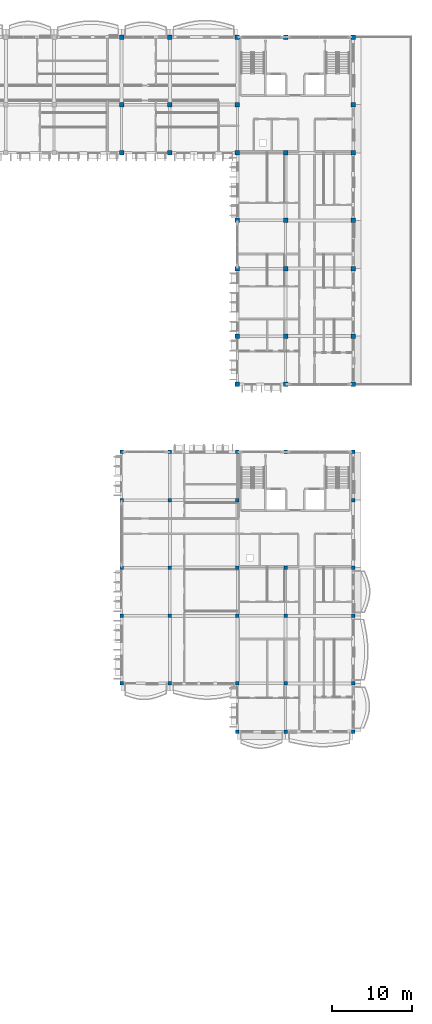
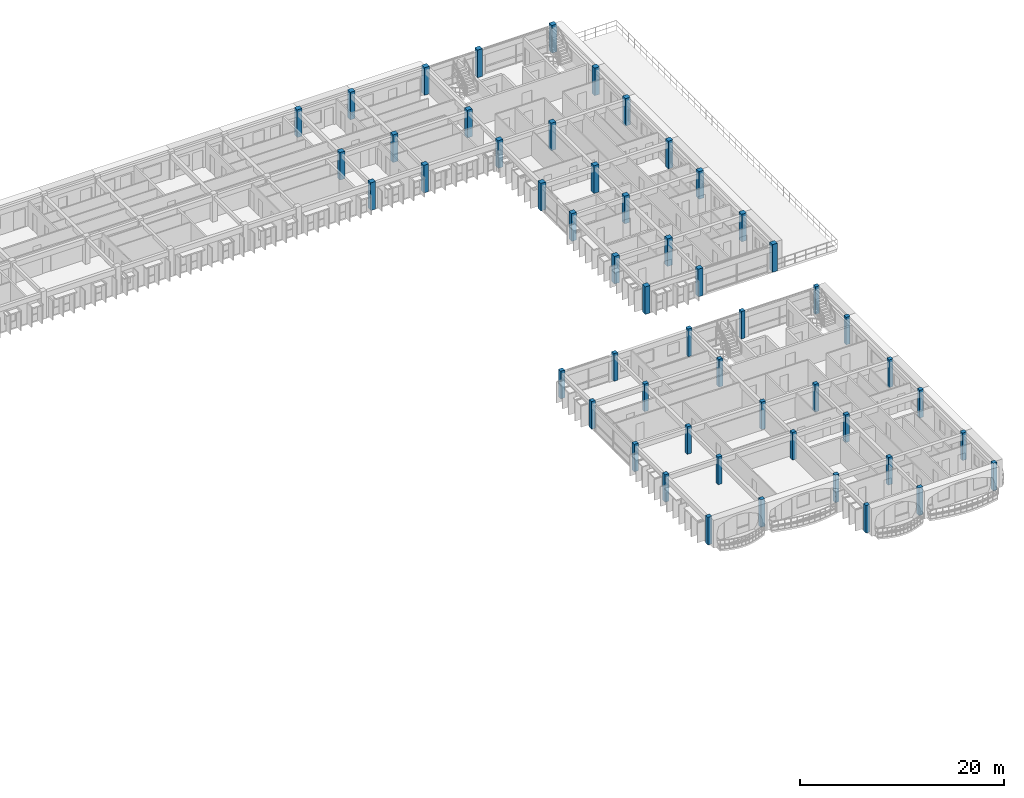
# One storey, part 2 of 68: 53 columns.
"""IFC4 building model written with IfcOpenShell, lengths in metres."""

from ifc_helpers import new_model, si_unit, direction, frame, origin, origin_2d, place, context, subcontext, project, spatial, rectangle, extrude, material, material_profile, profile_set, type_object, element, save


model = new_model("IFC4")

# Units and contexts
model_context = context("Model", 3, precision=1e-05, world=origin(), true_north=direction((0.0, 1.0)))
body_context = subcontext(model_context, "Body", "Model", "MODEL_VIEW")
ifc_project = project(units=[si_unit("LENGTHUNIT", "METRE"), si_unit("AREAUNIT", "SQUARE_METRE"), si_unit("VOLUMEUNIT", "CUBIC_METRE"), si_unit("PLANEANGLEUNIT", "RADIAN"), si_unit("MASSUNIT", "GRAM", prefix="KILO"), si_unit("THERMODYNAMICTEMPERATUREUNIT", "KELVIN")], contexts=[model_context])

# Site, building, storey
site_placement = place(None, origin())
site = spatial("IfcSite", under=ifc_project, at=site_placement, CompositionType="ELEMENT")
building_placement = place(site_placement, origin())
building = spatial("IfcBuilding", under=site, at=building_placement, Name="Thalorik Housing Commons", CompositionType="ELEMENT")
storey_placement = place(building_placement, frame((0.0, 0.0, 24.60009765625)))
storey = spatial("IfcBuildingStorey", under=building, at=storey_placement, Name="L07", CompositionType="ELEMENT", Elevation=24.60009765625)

# Columns
ifc_material = material(Name="Precast concrete C40/50", Category="concrete")
ifc_material_profile_1 = material_profile(ifc_material, rectangle(XDim=0.449951171875, YDim=0.449951171875, at=origin_2d()), Name="PC 450x450", Category="concrete")
ifc_profile_set_1 = profile_set([ifc_material_profile_1], Name="Precast concrete C40/50")
column_type_1 = type_object("IfcColumnType", Name="STR-COL-PC450", PredefinedType="COLUMN", material=ifc_profile_set_1)
for number, where, z_axis, x_axis, name in (
    (1, (138.0, 43.199951171875, 0.0), (0.0, 0.0, 1.0), (1.0, 0.0, 0.0), "L07 Column C-450"),
    (2, (138.0, 51.60009765625, 0.0), (0.0, 0.0, 1.0), (1.0, 0.0, 0.0), "L07 Column C-450"),
    (3, (138.0, 57.60009765625, 0.0), (0.0, 0.0, 1.0), (1.0, 0.0, 0.0), "L07 Column C-450"),
    (4, (138.0, 66.0, 0.0), (0.0, 0.0, 1.0), (1.0, 0.0, 0.0), "L07 Column C-450"),
    (5, (138.0, 72.0, 0.0), (0.0, 0.0, 1.0), (1.0, 0.0, 0.0), "L07 Column C-450"),
    (6, (144.0, 43.199951171875, 0.0), (0.0, 0.0, 1.0), (1.0, 0.0, 0.0), "L07 Column C-450"),
    (7, (144.0, 51.60009765625, 0.0), (0.0, 0.0, 1.0), (1.0, 0.0, 0.0), "L07 Column C-450"),
    (8, (144.0, 57.60009765625, 0.0), (0.0, 0.0, 1.0), (1.0, 0.0, 0.0), "L07 Column C-450"),
    (9, (144.0, 66.0, 0.0), (0.0, 0.0, 1.0), (1.0, 0.0, 0.0), "L07 Column C-450"),
    (10, (144.0, 72.0, 0.0), (0.0, 0.0, 1.0), (1.0, 0.0, 0.0), "L07 Column C-450"),
    (11, (152.39990234375, 37.199951171875, 0.0), (0.0, 0.0, 1.0), (1.0, 0.0, 0.0), "L07 Column C-450"),
    (12, (152.39990234375, 43.199951171875, 0.0), (0.0, 0.0, 1.0), (1.0, 0.0, 0.0), "L07 Column C-450"),
    (13, (152.39990234375, 51.60009765625, 0.0), (0.0, 0.0, 1.0), (1.0, 0.0, 0.0), "L07 Column C-450"),
    (14, (152.39990234375, 57.60009765625, 0.0), (0.0, 0.0, 1.0), (1.0, 0.0, 0.0), "L07 Column C-450"),
    (15, (152.39990234375, 66.0, 0.0), (0.0, 0.0, 1.0), (1.0, 0.0, 0.0), "L07 Column C-450"),
    (16, (152.39990234375, 72.0, 0.0), (0.0, 0.0, 1.0), (1.0, 0.0, 0.0), "L07 Column C-450"),
    (17, (158.39990234375, 37.199951171875, 0.0), (0.0, 0.0, 1.0), (1.0, 0.0, 0.0), "L07 Column C-450"),
    (18, (158.39990234375, 43.199951171875, 0.0), (0.0, 0.0, 1.0), (1.0, 0.0, 0.0), "L07 Column C-450"),
    (19, (158.39990234375, 51.60009765625, 0.0), (0.0, 0.0, 1.0), (1.0, 0.0, 0.0), "L07 Column C-450"),
    (20, (158.39990234375, 57.60009765625, 0.0), (0.0, 0.0, 1.0), (1.0, 0.0, 0.0), "L07 Column C-450"),
    (21, (158.39990234375, 72.0, 0.0), (0.0, 0.0, 1.0), (1.0, 0.0, 0.0), "L07 Column C-450"),
    (22, (166.800048828125, 37.199951171875, 0.0), (0.0, 0.0, 1.0), (1.0, 0.0, 0.0), "L07 Column C-450"),
    (23, (166.800048828125, 43.199951171875, 0.0), (0.0, 0.0, 1.0), (1.0, 0.0, 0.0), "L07 Column C-450"),
    (24, (166.800048828125, 51.60009765625, 0.0), (0.0, 0.0, 1.0), (1.0, 0.0, 0.0), "L07 Column C-450"),
    (25, (166.800048828125, 57.60009765625, 0.0), (0.0, 0.0, 1.0), (1.0, 0.0, 0.0), "L07 Column C-450"),
    (26, (166.800048828125, 66.0, 0.0), (0.0, 0.0, 1.0), (1.0, 0.0, 0.0), "L07 Column C-450"),
    (27, (166.800048828125, 72.0, 0.0), (0.0, 0.0, 1.0), (1.0, 0.0, 0.0), "L07 Column C-450"),
):
    element("IfcColumn", number, at=place(storey_placement, frame(where, z_axis=z_axis, x_axis=x_axis)), inside=storey, type_object=column_type_1, Name=name, PredefinedType="COLUMN", context=body_context, shape_type="SweptSolid", body=[
        extrude(rectangle(XDim=0.449951171875, YDim=0.449951171875, at=origin_2d()), origin(), (0.0, 0.0, 1.0), 3.2998046875),
    ])
ifc_material_profile_2 = material_profile(ifc_material, rectangle(XDim=0.550048828125, YDim=0.550048828125, at=origin_2d()), Name="PC 550x550", Category="concrete")
ifc_profile_set_2 = profile_set([ifc_material_profile_2], Name="Precast concrete C40/50")
column_type_2 = type_object("IfcColumnType", Name="STR-COL-PC550", PredefinedType="COLUMN", material=ifc_profile_set_2)
for number, where, z_axis, x_axis, name in (
    (28, (138.0, 109.199951171875, 0.0), (0.0, 0.0, 1.0), (1.0, 0.0, 0.0), "L07 Column C-550"),
    (29, (138.0, 115.199951171875, 0.0), (0.0, 0.0, 1.0), (1.0, 0.0, 0.0), "L07 Column C-550"),
    (30, (138.0, 123.60009765625, 0.0), (0.0, 0.0, 1.0), (1.0, 0.0, 0.0), "L07 Column C-550"),
    (31, (144.0, 109.199951171875, 0.0), (0.0, 0.0, 1.0), (1.0, 0.0, 0.0), "L07 Column C-550"),
    (32, (144.0, 115.199951171875, 0.0), (0.0, 0.0, 1.0), (1.0, 0.0, 0.0), "L07 Column C-550"),
    (33, (144.0, 123.60009765625, 0.0), (0.0, 0.0, 1.0), (1.0, 0.0, 0.0), "L07 Column C-550"),
    (34, (152.39990234375, 80.39990234375, 0.0), (0.0, 0.0, 1.0), (1.0, 0.0, 0.0), "L07 Column C-550"),
    (35, (152.39990234375, 86.39990234375, 0.0), (0.0, 0.0, 1.0), (1.0, 0.0, 0.0), "L07 Column C-550"),
    (36, (152.39990234375, 94.800048828125, 0.0), (0.0, 0.0, 1.0), (1.0, 0.0, 0.0), "L07 Column C-550"),
    (37, (152.39990234375, 100.800048828125, 0.0), (0.0, 0.0, 1.0), (1.0, 0.0, 0.0), "L07 Column C-550"),
    (38, (152.39990234375, 109.199951171875, 0.0), (0.0, 0.0, 1.0), (1.0, 0.0, 0.0), "L07 Column C-550"),
    (39, (152.39990234375, 115.199951171875, 0.0), (0.0, 0.0, 1.0), (1.0, 0.0, 0.0), "L07 Column C-550"),
    (40, (152.39990234375, 123.60009765625, 0.0), (0.0, 0.0, 1.0), (1.0, 0.0, 0.0), "L07 Column C-550"),
    (41, (158.39990234375, 80.39990234375, 0.0), (0.0, 0.0, 1.0), (1.0, 0.0, 0.0), "L07 Column C-550"),
    (42, (158.39990234375, 86.39990234375, 0.0), (0.0, 0.0, 1.0), (1.0, 0.0, 0.0), "L07 Column C-550"),
    (43, (158.39990234375, 94.800048828125, 0.0), (0.0, 0.0, 1.0), (1.0, 0.0, 0.0), "L07 Column C-550"),
    (44, (158.39990234375, 100.800048828125, 0.0), (0.0, 0.0, 1.0), (1.0, 0.0, 0.0), "L07 Column C-550"),
    (45, (158.39990234375, 109.199951171875, 0.0), (0.0, 0.0, 1.0), (1.0, 0.0, 0.0), "L07 Column C-550"),
    (46, (158.39990234375, 123.60009765625, 0.0), (0.0, 0.0, 1.0), (1.0, 0.0, 0.0), "L07 Column C-550"),
    (47, (166.800048828125, 80.39990234375, 0.0), (0.0, 0.0, 1.0), (1.0, 0.0, 0.0), "L07 Column C-550"),
    (48, (166.800048828125, 86.39990234375, 0.0), (0.0, 0.0, 1.0), (1.0, 0.0, 0.0), "L07 Column C-550"),
    (49, (166.800048828125, 94.800048828125, 0.0), (0.0, 0.0, 1.0), (1.0, 0.0, 0.0), "L07 Column C-550"),
    (50, (166.800048828125, 100.800048828125, 0.0), (0.0, 0.0, 1.0), (1.0, 0.0, 0.0), "L07 Column C-550"),
    (51, (166.800048828125, 109.199951171875, 0.0), (0.0, 0.0, 1.0), (1.0, 0.0, 0.0), "L07 Column C-550"),
    (52, (166.800048828125, 115.199951171875, 0.0), (0.0, 0.0, 1.0), (1.0, 0.0, 0.0), "L07 Column C-550"),
    (53, (166.800048828125, 123.60009765625, 0.0), (0.0, 0.0, 1.0), (1.0, 0.0, 0.0), "L07 Column C-550"),
):
    element("IfcColumn", number, at=place(storey_placement, frame(where, z_axis=z_axis, x_axis=x_axis)), inside=storey, type_object=column_type_2, Name=name, PredefinedType="COLUMN", context=body_context, shape_type="SweptSolid", body=[
        extrude(rectangle(XDim=0.550048828125, YDim=0.550048828125, at=origin_2d()), origin(), (0.0, 0.0, 1.0), 3.2998046875),
    ])

save(model, "model.ifc")
